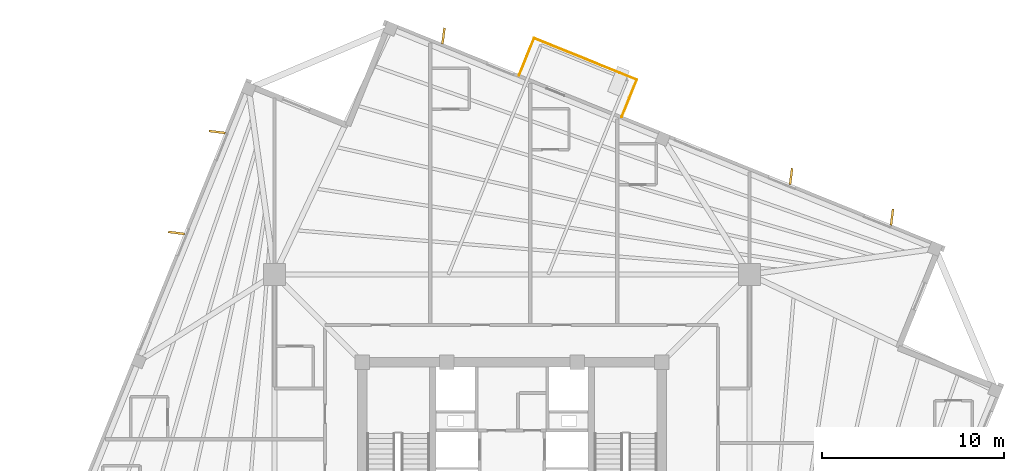
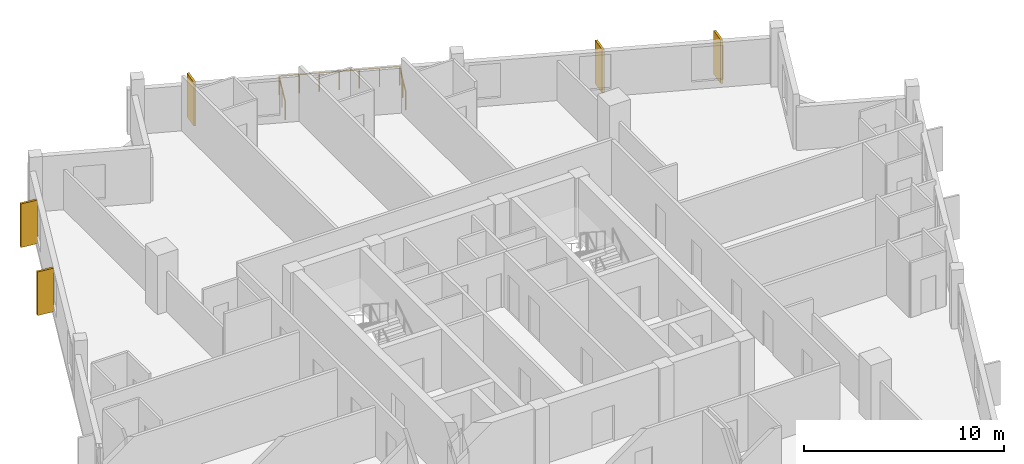
# One storey, part 9 of 9: 5 coverings, 3 railings.
"""IFC4 building model written with IfcOpenShell, lengths in metres."""

from ifc_helpers import new_model, si_unit, direction, frame, origin, origin_2d, place, context, subcontext, project, spatial, rectangle, circle, extrude, source, transform, mapped, material, layer, layer_set, type_object, element, save


model = new_model("IFC4")

# Units and contexts
model_context = context("Model", 3, precision=1e-05, world=origin(), true_north=direction((0.0, 1.0)))
body_context = subcontext(model_context, "Body", "Model", "MODEL_VIEW")
ifc_project = project(units=[si_unit("LENGTHUNIT", "METRE"), si_unit("AREAUNIT", "SQUARE_METRE"), si_unit("VOLUMEUNIT", "CUBIC_METRE"), si_unit("PLANEANGLEUNIT", "RADIAN"), si_unit("MASSUNIT", "GRAM", prefix="KILO"), si_unit("THERMODYNAMICTEMPERATUREUNIT", "KELVIN")], contexts=[model_context])

# Site, building, storey
site_placement = place(None, origin())
site = spatial("IfcSite", under=ifc_project, at=site_placement, CompositionType="ELEMENT")
building_placement = place(site_placement, origin())
building = spatial("IfcBuilding", under=site, at=building_placement, Name="Kosmvard Interchange Tower", CompositionType="ELEMENT")
storey_placement = place(building_placement, frame((0.0, 0.0, 297.60009765625)))
storey = spatial("IfcBuildingStorey", under=building, at=storey_placement, Name="L73", CompositionType="ELEMENT", Elevation=297.60009765625)

# Coverings
ifc_material_1 = material(Name="Architectural anodised aluminium", Category="aluminium")
ifc_layer = layer(ifc_material_1, 0.1201171875, Name="Architectural anodised aluminium")
ifc_layer_set = layer_set([ifc_layer], Name="Architectural anodised aluminium")
covering_type = type_object("IfcCoveringType", Name="Rotating Vertical Sun-Breaker Fin 900x120 Aluminium", PredefinedType="CLADDING", material=ifc_layer_set)
shared_shape_1 = source(origin(), body_context, "Body", "SweptSolid", [
    extrude(rectangle(XDim=0.89990234375, YDim=0.1201171875, at=origin_2d()), origin(), (0.0, 0.0, 1.0), 2.669921875),
])
for number, where, z_axis, x_axis, name in (
    (1, (20.932373046875, 16.2412109375, 0.0400390625), (0.0, 0.0, 1.0), (0.127930151302, 0.99178318013, 0.0), "L73 Rotating Vertical Sun-Breaker Fin 05"),
    (2, (15.373046875, 18.4873046875, 0.0400390625), (0.0, 0.0, 1.0), (0.127930151302, 0.99178318013, 0.0), "L73 Rotating Vertical Sun-Breaker Fin 06"),
    (3, (-3.775390625, 26.223876953125, 0.0400390625), (0.0, 0.0, 1.0), (0.127930151302, 0.99178318013, 0.0), "L73 Rotating Vertical Sun-Breaker Fin 07"),
    (4, (-16.2412109375, 20.932373046875, 0.0400390625), (0.0, 0.0, 1.0), (-0.99178318013, 0.127930151302, 0.0), "L73 Rotating Vertical Sun-Breaker Fin 08"),
    (5, (-18.4873046875, 15.373046875, 0.0400390625), (0.0, 0.0, 1.0), (-0.99178318013, 0.127930151302, 0.0), "L73 Rotating Vertical Sun-Breaker Fin 09"),
):
    element("IfcCovering", number, at=place(storey_placement, frame(where, z_axis=z_axis, x_axis=x_axis)), inside=storey, type_object=covering_type, Name=name, PredefinedType="CLADDING", context=body_context, shape_type="MappedRepresentation", body=[
        mapped(shared_shape_1, transform((0.0, 0.0, 0.0), scale=1.0)),
    ])

# Railings
ifc_material_2 = material(Name="Steel S355", Category="steel")
railing_type = type_object("IfcRailingType", Name="Observation & Balcony Glass-Infill Balustrade 1150", PredefinedType="BALUSTRADE", material=ifc_material_2)
shared_shape_2 = source(origin(), body_context, "Body", "SweptSolid", [
    extrude(circle(Radius=0.02392578125, at=origin_2d()), frame((0.0, 0.0, 1.1259765625), z_axis=(0.374545618852, 0.927208487558, 0.0), x_axis=(-0.927208487558, 0.374545618852, 0.0)), (0.0, 0.0, 1.0), 2.199951171875),
    extrude(circle(Radius=0.02099609375, at=origin_2d()), origin(), (0.0, 0.0, 1.0), 1.101806640625),
    extrude(circle(Radius=0.02099609375, at=origin_2d()), frame((0.412109375, 1.02001953125, 0.0)), (0.0, 0.0, 1.0), 1.101806640625),
    extrude(circle(Radius=0.02099609375, at=origin_2d()), frame((0.823974609375, 2.039794921875, 0.0)), (0.0, 0.0, 1.0), 1.101806640625),
])
railing_1_placement = place(storey_placement, frame((6.045654296875, 21.7705078125, 0.0)))
element("IfcRailing", 6, at=railing_1_placement, inside=storey, type_object=railing_type, Name="L73 Outdoor Terrace Guard BAL-L73-E-A", PredefinedType="BALUSTRADE", context=body_context, shape_type="MappedRepresentation", body=[
    mapped(shared_shape_2, transform((0.0, 0.0, 0.0), scale=1.0)),
])
shared_shape_3 = source(origin(), body_context, "Body", "SweptSolid", [
    extrude(circle(Radius=0.02392578125, at=origin_2d()), frame((0.0, 0.0, 1.1259765625), z_axis=(-0.927179288599, 0.374617894384, 0.0), x_axis=(-0.374617894384, -0.927179288599, 0.0)), (0.0, 0.0, 1.0), 6.099853515625),
    extrude(circle(Radius=0.02099609375, at=origin_2d()), origin(), (0.0, 0.0, 1.0), 1.101806640625),
    extrude(circle(Radius=0.02099609375, at=origin_2d()), frame((-0.942626953125, 0.380859375, 0.0)), (0.0, 0.0, 1.0), 1.101806640625),
    extrude(circle(Radius=0.02099609375, at=origin_2d()), frame((-1.88525390625, 0.76171875, 0.0)), (0.0, 0.0, 1.0), 1.101806640625),
    extrude(circle(Radius=0.02099609375, at=origin_2d()), frame((-2.827880859375, 1.142578125, 0.0)), (0.0, 0.0, 1.0), 1.101806640625),
    extrude(circle(Radius=0.02099609375, at=origin_2d()), frame((-3.7705078125, 1.5234375, 0.0)), (0.0, 0.0, 1.0), 1.101806640625),
    extrude(circle(Radius=0.02099609375, at=origin_2d()), frame((-4.713134765625, 1.904296875, 0.0)), (0.0, 0.0, 1.0), 1.101806640625),
    extrude(circle(Radius=0.02099609375, at=origin_2d()), frame((-5.65576171875, 2.28515625, 0.0)), (0.0, 0.0, 1.0), 1.101806640625),
])
railing_2_placement = place(storey_placement, frame((6.86962890625, 23.810302734375, 0.0)))
element("IfcRailing", 7, at=railing_2_placement, inside=storey, type_object=railing_type, Name="L73 Outdoor Terrace Guard BAL-L73-E-B", PredefinedType="BALUSTRADE", context=body_context, shape_type="MappedRepresentation", body=[
    mapped(shared_shape_3, transform((0.0, 0.0, 0.0), scale=1.0)),
])
shared_shape_4 = source(origin(), body_context, "Body", "SweptSolid", [
    extrude(circle(Radius=0.02392578125, at=origin_2d()), frame((0.0, 0.0, 1.1259765625), z_axis=(-0.374545618852, -0.927208487558, 0.0), x_axis=(0.927208487558, -0.374545618852, 0.0)), (0.0, 0.0, 1.0), 2.199951171875),
    extrude(circle(Radius=0.02099609375, at=origin_2d()), origin(), (0.0, 0.0, 1.0), 1.101806640625),
    extrude(circle(Radius=0.02099609375, at=origin_2d()), frame((-0.412109375, -1.02001953125, 0.0)), (0.0, 0.0, 1.0), 1.101806640625),
    extrude(circle(Radius=0.02099609375, at=origin_2d()), frame((-0.823974609375, -2.039794921875, 0.0)), (0.0, 0.0, 1.0), 1.101806640625),
])
railing_3_placement = place(storey_placement, frame((1.2138671875, 26.095458984375, 0.0)))
element("IfcRailing", 8, at=railing_3_placement, inside=storey, type_object=railing_type, Name="L73 Outdoor Terrace Guard BAL-L73-E-C", PredefinedType="BALUSTRADE", context=body_context, shape_type="MappedRepresentation", body=[
    mapped(shared_shape_4, transform((0.0, 0.0, 0.0), scale=1.0)),
])

save(model, "model.ifc")
